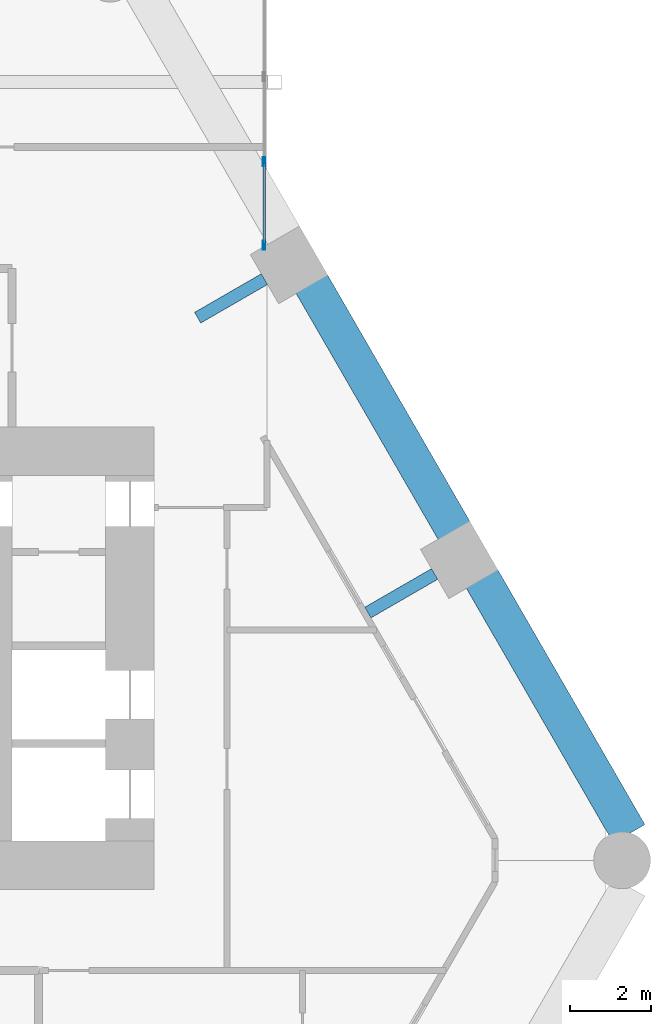
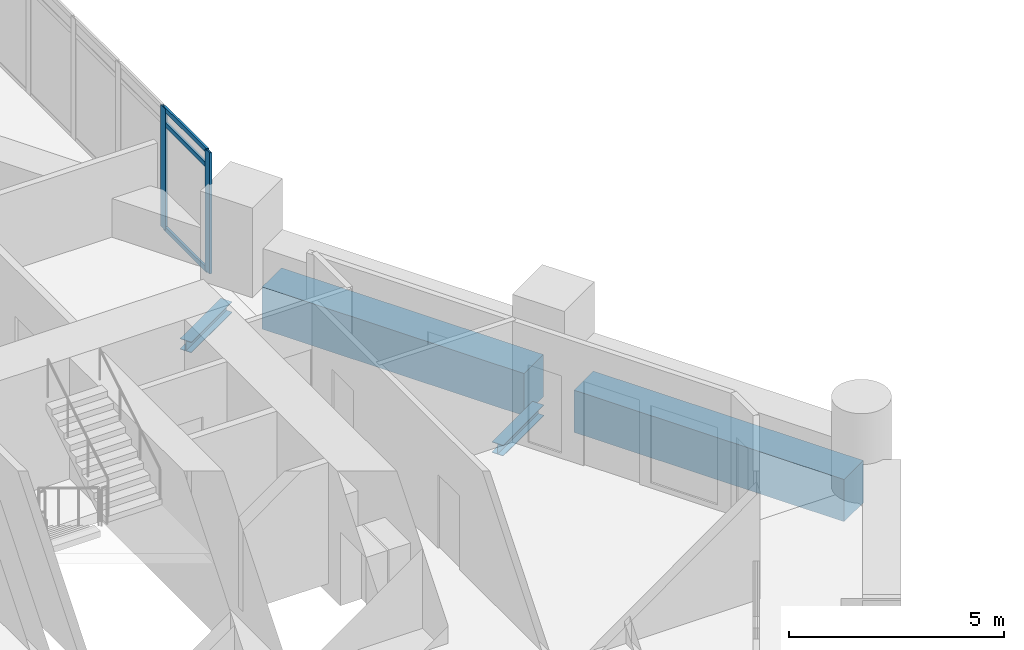
# One storey, part 18 of 28: 5 members, 4 beams, 1 element without a shape of its own.
"""IFC4 building model written with IfcOpenShell, lengths in metres."""

from ifc_helpers import new_model, si_unit, direction, frame, origin, origin_2d, place, context, subcontext, project, spatial, rectangle, hollow_rectangle, i_section, extrude, material, material_profile, profile_set, type_object, element, aggregate, save


model = new_model("IFC4")

# Units and contexts
model_context = context("Model", 3, precision=1e-05, world=origin(), true_north=direction((0.0, 1.0)))
body_context = subcontext(model_context, "Body", "Model", "MODEL_VIEW")
ifc_project = project(units=[si_unit("LENGTHUNIT", "METRE"), si_unit("AREAUNIT", "SQUARE_METRE"), si_unit("VOLUMEUNIT", "CUBIC_METRE"), si_unit("PLANEANGLEUNIT", "RADIAN"), si_unit("MASSUNIT", "GRAM", prefix="KILO")], contexts=[model_context])

# Site, building, storey
site_placement = place(None, origin())
site = spatial("IfcSite", under=ifc_project, at=site_placement, CompositionType="ELEMENT")
building_placement = place(site_placement, origin())
building = spatial("IfcBuilding", under=site, at=building_placement, Name="Ostrander Bayou Hotel Tower", CompositionType="ELEMENT")
storey_placement = place(building_placement, frame((0.0, 0.0, 73.0)))
storey = spatial("IfcBuildingStorey", under=building, at=storey_placement, Name="L18", CompositionType="ELEMENT", Elevation=73.0)

# Curtain wall, members
ifc_material_1 = material(Name="Aluminium and clear glass", Category="aluminium")
curtain_wall_type = type_object("IfcCurtainWallType", Name="CW-BAR glazed wall", PredefinedType="NOTDEFINED", material=ifc_material_1)
curtain_wall_placement = place(storey_placement, origin())
curtain_wall = element("IfcCurtainWall", 1, at=curtain_wall_placement, inside=storey, type_object=curtain_wall_type, Name="CW-BAR L18:SB1N:W", PredefinedType="NOTDEFINED")
ifc_material_2 = material(Name="Aluminium", Category="aluminium")
ifc_material_profile_1 = material_profile(ifc_material_2, hollow_rectangle(XDim=0.06005859375, YDim=0.219970703125, WallThickness=0.00390625, at=origin_2d()))
ifc_profile_set_1 = profile_set([ifc_material_profile_1], Name="Aluminium")
member_type_1 = type_object("IfcMemberType", Name="CW-BR mullion 60 x 220 mm", PredefinedType="MULLION", material=ifc_profile_set_1)
member_1_placement = place(storey_placement, frame((14.712158203125, 14.1767578125, 0.0), z_axis=(0.0, 0.0, 1.0), x_axis=(-1.0, 0.0, 0.0)))
member_1 = element("IfcMember", 2, at=member_1_placement, type_object=member_type_1, Name="CW-BAR mullion 1", PredefinedType="MULLION", context=body_context, shape_type="SweptSolid", body=[
    extrude(hollow_rectangle(XDim=0.06005859375, YDim=0.219970703125, WallThickness=0.00390625, at=origin_2d()), origin(), (0.0, 0.0, 1.0), 3.449951171875),
])
member_2_placement = place(storey_placement, frame((14.712158203125, 16.2392578125, 0.0), z_axis=(0.0, 0.0, 1.0), x_axis=(-1.0, 0.0, 0.0)))
member_2 = element("IfcMember", 3, at=member_2_placement, type_object=member_type_1, Name="CW-BAR mullion 2", PredefinedType="MULLION", context=body_context, shape_type="SweptSolid", body=[
    extrude(hollow_rectangle(XDim=0.06005859375, YDim=0.219970703125, WallThickness=0.00390625, at=origin_2d()), origin(), (0.0, 0.0, 1.0), 3.449951171875),
])
ifc_material_3 = material(Name="Aluminium", Category="aluminium")
ifc_material_profile_2 = material_profile(ifc_material_3, hollow_rectangle(XDim=0.06005859375, YDim=0.1298828125, WallThickness=0.00390625, at=origin_2d()))
ifc_profile_set_2 = profile_set([ifc_material_profile_2], Name="Aluminium")
member_type_2 = type_object("IfcMemberType", Name="CW-BR transom 60 x 130 mm", PredefinedType="USERDEFINED", material=ifc_profile_set_2)
member_3_placement = place(storey_placement, frame((14.712158203125, 14.206787109375, 0.030029296875), z_axis=(0.0, 1.0, 0.0), x_axis=(-1.0, 0.0, 0.0)))
member_3 = element("IfcMember", 4, at=member_3_placement, type_object=member_type_2, Name="CW-BAR transom 1.1", ObjectType="TRANSOM", PredefinedType="USERDEFINED", context=body_context, shape_type="SweptSolid", body=[
    extrude(hollow_rectangle(XDim=0.06005859375, YDim=0.1298828125, WallThickness=0.00390625, at=origin_2d()), origin(), (0.0, 0.0, 1.0), 2.00244140625),
])
member_4_placement = place(storey_placement, frame((14.712158203125, 14.206787109375, 3.0), z_axis=(0.0, 1.0, 0.0), x_axis=(-1.0, 0.0, 0.0)))
member_4 = element("IfcMember", 5, at=member_4_placement, type_object=member_type_2, Name="CW-BAR transom 1.2", ObjectType="TRANSOM", PredefinedType="USERDEFINED", context=body_context, shape_type="SweptSolid", body=[
    extrude(hollow_rectangle(XDim=0.06005859375, YDim=0.1298828125, WallThickness=0.00390625, at=origin_2d()), origin(), (0.0, 0.0, 1.0), 2.00244140625),
])
member_5_placement = place(storey_placement, frame((14.712158203125, 14.206787109375, 3.419921875), z_axis=(0.0, 1.0, 0.0), x_axis=(-1.0, 0.0, 0.0)))
member_5 = element("IfcMember", 6, at=member_5_placement, type_object=member_type_2, Name="CW-BAR transom 1.3", ObjectType="TRANSOM", PredefinedType="USERDEFINED", context=body_context, shape_type="SweptSolid", body=[
    extrude(hollow_rectangle(XDim=0.06005859375, YDim=0.1298828125, WallThickness=0.00390625, at=origin_2d()), origin(), (0.0, 0.0, 1.0), 2.00244140625),
])
aggregate(curtain_wall, [member_1, member_2, member_3, member_4, member_5])

# Beams
ifc_material_4 = material(Name="Steel ASTM A992", Category="steel")
ifc_material_profile_3 = material_profile(ifc_material_4, i_section(OverallWidth=0.3046875, OverallDepth=0.307861328125, WebThickness=0.010009765625, FlangeThickness=0.015380859375, at=origin_2d()))
ifc_profile_set_3 = profile_set([ifc_material_profile_3], Name="Steel ASTM A992")
beam_type_1 = type_object("IfcBeamType", Name="LB1 loggia bracket W12x65", PredefinedType="BEAM", material=ifc_profile_set_3)
for number, where, z_axis, x_axis, name in (
    (7, (18.914306640625, 6.07568359375, -0.453857421875), (-0.866044365799, -0.499967155389, 0.0), (0.499967155389, -0.866044365799, 0.0), "LB1 L18 NE1"),
    (8, (14.718994140625, 13.34228515625, -0.453857421875), (-0.866044365799, -0.499967155389, 0.0), (0.499967155389, -0.866044365799, 0.0), "LB1 L18 NE2"),
):
    element("IfcBeam", number, at=place(storey_placement, frame(where, z_axis=z_axis, x_axis=x_axis)), inside=storey, type_object=beam_type_1, Name=name, PredefinedType="BEAM", context=body_context, shape_type="SweptSolid", body=[
        extrude(i_section(OverallWidth=0.3046875, OverallDepth=0.307861328125, WebThickness=0.010009765625, FlangeThickness=0.015380859375, at=origin_2d()), origin(), (0.0, 0.0, 1.0), 1.900146484375),
    ])
ifc_material_5 = material(Name="Concrete f'c 70 MPa", Category="concrete")
ifc_material_profile_4 = material_profile(ifc_material_5, rectangle(XDim=0.89990234375, YDim=1.199951171875, at=origin_2d()))
ifc_profile_set_4 = profile_set([ifc_material_profile_4], Name="Concrete f'c 70 MPa")
beam_type_2 = type_object("IfcBeamType", Name="SP1 spandrel beam 900 x 1200 mm f'c 70 MPa", PredefinedType="SPANDREL", material=ifc_profile_set_4)
beam_1_placement = place(storey_placement, frame((23.707275390625, -0.325927734375, -0.60009765625), z_axis=(-0.50000343918, 0.866023418164, 0.0), x_axis=(-0.866023418164, -0.50000343918, 0.0)))
element("IfcBeam", 9, at=beam_1_placement, inside=storey, type_object=beam_type_2, Name="SP1 L18 NE-1", PredefinedType="SPANDREL", context=body_context, shape_type="SweptSolid", body=[
    extrude(rectangle(XDim=0.89990234375, YDim=1.199951171875, at=origin_2d()), origin(), (0.0, 0.0, 1.0), 7.2705078125),
])
beam_2_placement = place(storey_placement, frame((19.402099609375, 7.131103515625, -0.60009765625), z_axis=(-0.500012199891, 0.86601836006, 0.0), x_axis=(-0.86601836006, -0.500012199891, 0.0)))
element("IfcBeam", 10, at=beam_2_placement, inside=storey, type_object=beam_type_2, Name="SP1 L18 NE-2", PredefinedType="SPANDREL", context=body_context, shape_type="SweptSolid", body=[
    extrude(rectangle(XDim=0.89990234375, YDim=1.199951171875, at=origin_2d()), origin(), (0.0, 0.0, 1.0), 7.050537109375),
])

save(model, "model.ifc")
